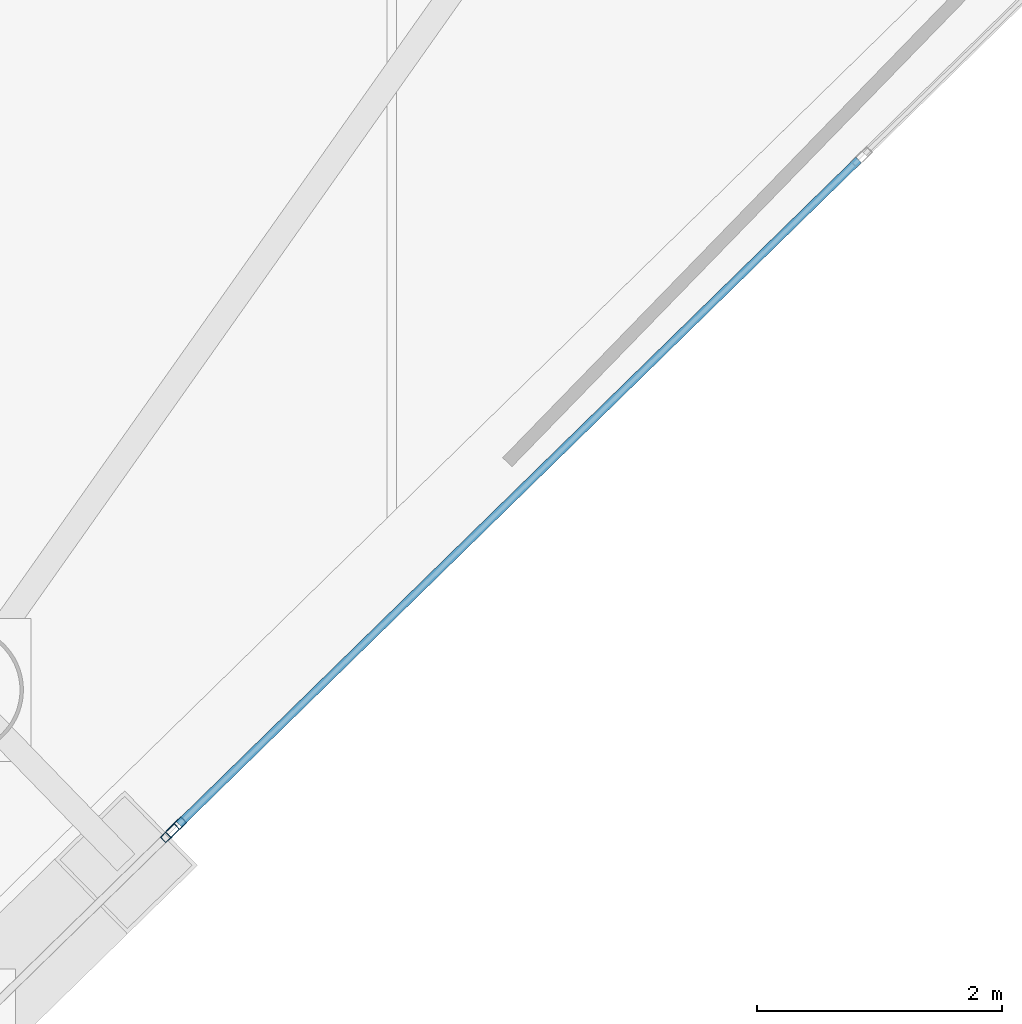
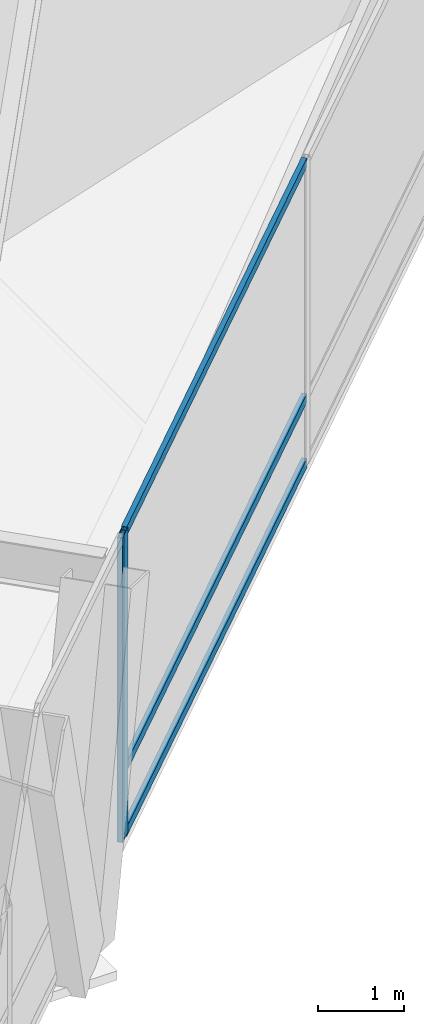
# One storey, part 7 of 21: 5 members, 2 elements without a shape of their own.
"""IFC4 building model written with IfcOpenShell, lengths in metres."""

from ifc_helpers import new_model, si_unit, direction, frame, origin, origin_2d, place, context, subcontext, project, spatial, hollow_rectangle, extrude, material, layer, layer_set, material_profile, profile_set, type_object, element, aggregate, save


model = new_model("IFC4")

# Units and contexts
model_context = context("Model", 3, precision=1e-05, world=origin(), true_north=direction((0.0, 1.0)))
body_context = subcontext(model_context, "Body", "Model", "MODEL_VIEW")
ifc_project = project(units=[si_unit("LENGTHUNIT", "METRE"), si_unit("AREAUNIT", "SQUARE_METRE"), si_unit("VOLUMEUNIT", "CUBIC_METRE"), si_unit("PLANEANGLEUNIT", "RADIAN"), si_unit("MASSUNIT", "GRAM", prefix="KILO")], contexts=[model_context])

# Site, building, storey
site_placement = place(None, origin())
site = spatial("IfcSite", under=ifc_project, at=site_placement, CompositionType="ELEMENT")
building_placement = place(site_placement, origin())
building = spatial("IfcBuilding", under=site, at=building_placement, Name="Qianvela Tower", CompositionType="ELEMENT")
storey_placement = place(building_placement, frame((0.0, 0.0, 234.5)))
storey = spatial("IfcBuildingStorey", under=building, at=storey_placement, Name="L60", CompositionType="ELEMENT", Elevation=234.5)

# Curtain wall, member
ifc_material_1 = material(Name="Anodised Architectural Aluminium and Insulated Spandrel Panel", Category="aluminium")
ifc_layer_1 = layer(ifc_material_1, 0.179931640625)
ifc_layer_set_1 = layer_set([ifc_layer_1], Name="Anodised Architectural Aluminium and Insulated Spandrel Panel")
curtain_wall_type_1 = type_object("IfcCurtainWallType", Name="CW-BRACEBAY", PredefinedType="USERDEFINED", material=ifc_layer_set_1)
curtain_wall_1_placement = place(storey_placement, origin())
curtain_wall_1 = element("IfcCurtainWall", 1, at=curtain_wall_1_placement, inside=storey, type_object=curtain_wall_type_1, Name="L60 CW-BRACEBAY Curtain Wall 06B", ObjectType="CURTAIN_WALL_SYSTEM", PredefinedType="USERDEFINED")
ifc_material_2 = material(Name="Anodised Architectural Aluminium 6063-T6", Category="aluminium")
ifc_material_profile_1 = material_profile(ifc_material_2, hollow_rectangle(XDim=0.06494140625, YDim=0.159912109375, WallThickness=0.0048828125, at=origin_2d()), Name="ALU-MULL-65x160")
ifc_profile_set_1 = profile_set([ifc_material_profile_1], Name="Anodised Architectural Aluminium 6063-T6")
member_type_1 = type_object("IfcMemberType", Name="CW-BRACEBAY-MULL", PredefinedType="MULLION", material=ifc_profile_set_1)
member_1_placement = place(storey_placement, frame((47.156982421875, 19.429443359375, 0.0), z_axis=(0.0, 0.0, 1.0), x_axis=(-0.699077597753, 0.715045811344, 0.0)))
member_1 = element("IfcMember", 2, at=member_1_placement, type_object=member_type_1, Name="CW-9 mullion 2", PredefinedType="MULLION", context=body_context, shape_type="SweptSolid", body=[
    extrude(hollow_rectangle(XDim=0.06494140625, YDim=0.159912109375, WallThickness=0.0048828125, at=origin_2d()), origin(), (0.0, 0.0, 1.0), 4.320068359375),
])
aggregate(curtain_wall_1, [member_1])

# Curtain wall, members
ifc_material_3 = material(Name="Anodised Architectural Aluminium and Low-E Glass", Category="aluminium")
ifc_layer_2 = layer(ifc_material_3, 0.18994140625)
ifc_layer_set_2 = layer_set([ifc_layer_2], Name="Anodised Architectural Aluminium and Low-E Glass")
curtain_wall_type_2 = type_object("IfcCurtainWallType", Name="CW-SKYLOBBY", PredefinedType="USERDEFINED", material=ifc_layer_set_2)
curtain_wall_2_placement = place(storey_placement, origin())
curtain_wall_2 = element("IfcCurtainWall", 3, at=curtain_wall_2_placement, inside=storey, type_object=curtain_wall_type_2, Name="L60 CW-SKYLOBBY Curtain Wall 06C", ObjectType="CURTAIN_WALL_SYSTEM", PredefinedType="USERDEFINED")
ifc_material_4 = material(Name="Anodised Architectural Aluminium 6063-T6", Category="aluminium")
ifc_material_profile_2 = material_profile(ifc_material_4, hollow_rectangle(XDim=0.070068359375, YDim=0.179931640625, WallThickness=0.0048828125, at=origin_2d()), Name="ALU-MULL-70x180")
ifc_profile_set_2 = profile_set([ifc_material_profile_2], Name="Anodised Architectural Aluminium 6063-T6")
member_type_2 = type_object("IfcMemberType", Name="CW-SKYLOBBY-MULL", PredefinedType="MULLION", material=ifc_profile_set_2)
member_2_placement = place(storey_placement, frame((47.205078125, 19.4765625, 0.0), z_axis=(0.0, 0.0, 1.0), x_axis=(-0.69907729967, 0.715046102769, 0.0)))
member_2 = element("IfcMember", 4, at=member_2_placement, type_object=member_type_2, Name="CW-7 mullion 1", PredefinedType="MULLION", context=body_context, shape_type="SweptSolid", body=[
    extrude(hollow_rectangle(XDim=0.070068359375, YDim=0.179931640625, WallThickness=0.0048828125, at=origin_2d()), origin(), (0.0, 0.0, 1.0), 4.320068359375),
])
ifc_material_5 = material(Name="Anodised Architectural Aluminium 6063-T6", Category="aluminium")
ifc_material_profile_3 = material_profile(ifc_material_5, hollow_rectangle(XDim=0.06494140625, YDim=0.1298828125, WallThickness=0.00439453125, at=origin_2d()), Name="ALU-TRAN-65x130")
ifc_profile_set_3 = profile_set([ifc_material_profile_3], Name="Anodised Architectural Aluminium 6063-T6")
member_type_3 = type_object("IfcMemberType", Name="CW-SKYLOBBY-TRAN", PredefinedType="USERDEFINED", material=ifc_profile_set_3)
member_3_placement = place(storey_placement, frame((47.230224609375, 19.501220703125, 0.032470703125), z_axis=(0.715043392231, 0.699080072114, 0.0), x_axis=(-0.699080072114, 0.715043392231, 0.0)))
member_3 = element("IfcMember", 5, at=member_3_placement, type_object=member_type_3, Name="CW-7 transom 1.1", ObjectType="TRANSOM", PredefinedType="USERDEFINED", context=body_context, shape_type="SweptSolid", body=[
    extrude(hollow_rectangle(XDim=0.06494140625, YDim=0.1298828125, WallThickness=0.00439453125, at=origin_2d()), origin(), (0.0, 0.0, 1.0), 7.75390625),
])
member_4_placement = place(storey_placement, frame((47.230224609375, 19.501220703125, 0.949951171875), z_axis=(0.715043392231, 0.699080072114, 0.0), x_axis=(-0.699080072114, 0.715043392231, 0.0)))
member_4 = element("IfcMember", 6, at=member_4_placement, type_object=member_type_3, Name="CW-7 transom 1.2", ObjectType="TRANSOM", PredefinedType="USERDEFINED", context=body_context, shape_type="SweptSolid", body=[
    extrude(hollow_rectangle(XDim=0.06494140625, YDim=0.1298828125, WallThickness=0.00439453125, at=origin_2d()), origin(), (0.0, 0.0, 1.0), 7.75390625),
])
member_5_placement = place(storey_placement, frame((47.230224609375, 19.501220703125, 4.28759765625), z_axis=(0.715043392231, 0.699080072114, 0.0), x_axis=(-0.699080072114, 0.715043392231, 0.0)))
member_5 = element("IfcMember", 7, at=member_5_placement, type_object=member_type_3, Name="CW-7 transom 1.3", ObjectType="TRANSOM", PredefinedType="USERDEFINED", context=body_context, shape_type="SweptSolid", body=[
    extrude(hollow_rectangle(XDim=0.06494140625, YDim=0.1298828125, WallThickness=0.00439453125, at=origin_2d()), origin(), (0.0, 0.0, 1.0), 7.75390625),
])
aggregate(curtain_wall_2, [member_2, member_3, member_4, member_5])

save(model, "model.ifc")
